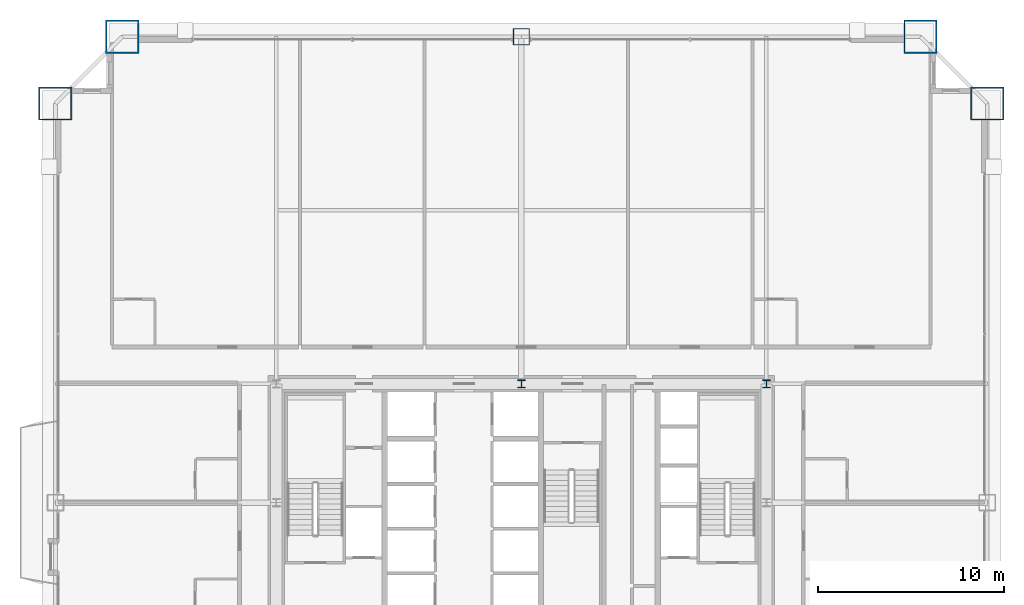
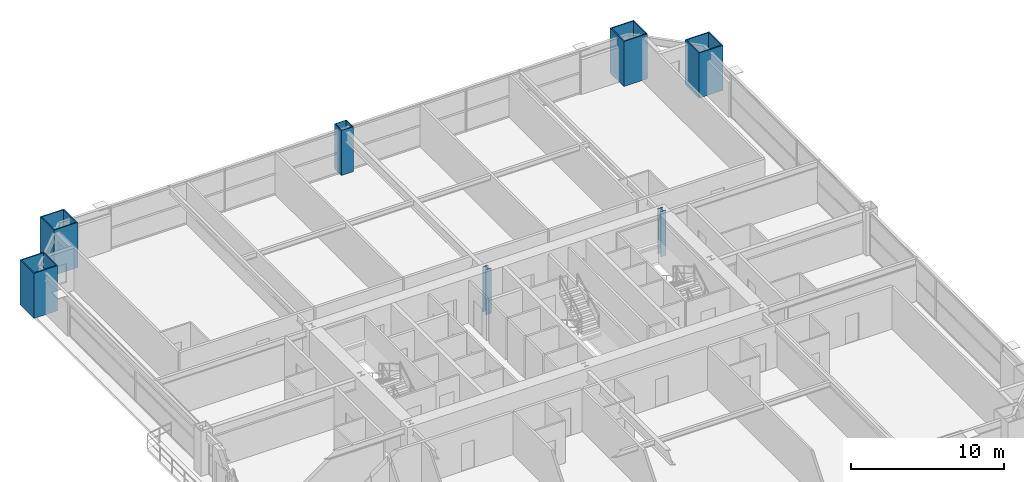
# One storey, part 2 of 46: 7 columns.
"""IFC4 building model written with IfcOpenShell, lengths in metres."""

from ifc_helpers import new_model, si_unit, direction, frame, origin, origin_2d, place, context, subcontext, project, spatial, hollow_rectangle, i_section, extrude, source, transform, mapped, material, material_profile, profile_set, type_object, element, save


model = new_model("IFC4")

# Units and contexts
model_context = context("Model", 3, precision=1e-05, world=origin(), true_north=direction((0.0, 1.0)))
body_context = subcontext(model_context, "Body", "Model", "MODEL_VIEW")
ifc_project = project(units=[si_unit("LENGTHUNIT", "METRE"), si_unit("AREAUNIT", "SQUARE_METRE"), si_unit("VOLUMEUNIT", "CUBIC_METRE"), si_unit("PLANEANGLEUNIT", "RADIAN"), si_unit("MASSUNIT", "GRAM", prefix="KILO"), si_unit("THERMODYNAMICTEMPERATUREUNIT", "KELVIN"), si_unit("POWERUNIT", "WATT")], contexts=[model_context])

# Site, building, storey
site_placement = place(None, origin())
site = spatial("IfcSite", under=ifc_project, at=site_placement, CompositionType="ELEMENT")
building_placement = place(site_placement, origin())
building = spatial("IfcBuilding", under=site, at=building_placement, Name="Yuzanri Waterfront Tower", CompositionType="ELEMENT")
storey_placement = place(building_placement, frame((0.0, 0.0, 56.800048828125)))
storey = spatial("IfcBuildingStorey", under=building, at=storey_placement, Name="L14", CompositionType="ELEMENT", Elevation=56.800048828125)

# Columns
ifc_material_1 = material(Name="Steel Q355B", Category="steel")
ifc_material_profile_1 = material_profile(ifc_material_1, i_section(OverallWidth=0.406982421875, OverallDepth=0.427978515625, WebThickness=0.02001953125, FlangeThickness=0.034912109375, at=origin_2d()), Name="HW 428x407x20x35")
ifc_profile_set_1 = profile_set([ifc_material_profile_1], Name="Steel Q355B")
column_type_1 = type_object("IfcColumnType", Name="Core Post Q355B HW 428x407x20x35", PredefinedType="COLUMN", material=ifc_profile_set_1)
shared_shape_1 = source(origin(), body_context, "Body", "SweptSolid", [
    extrude(i_section(OverallWidth=0.406982421875, OverallDepth=0.427978515625, WebThickness=0.02001953125, FlangeThickness=0.034912109375, at=origin_2d()), origin(), (0.0, 0.0, 1.0), 3.599853515625),
])
for number, where, z_axis, x_axis, name in (
    (1, (37.0, 32.199951171875, 0.0), (0.0, 0.0, 1.0), (1.0, 0.0, 0.0), "L14 Core Boundary Column CP7"),
    (2, (50.199951171875, 32.199951171875, 0.0), (0.0, 0.0, 1.0), (1.0, 0.0, 0.0), "L14 Core Boundary Column CP8"),
):
    element("IfcColumn", number, at=place(storey_placement, frame(where, z_axis=z_axis, x_axis=x_axis)), inside=storey, type_object=column_type_1, Name=name, PredefinedType="COLUMN", context=body_context, shape_type="MappedRepresentation", body=[
        mapped(shared_shape_1, transform((0.0, 0.0, 0.0), scale=1.0)),
    ])
ifc_material_2 = material(Name="Steel Q420GJC", Category="steel")
ifc_material_profile_2 = material_profile(ifc_material_2, hollow_rectangle(XDim=1.800048828125, YDim=1.800048828125, WallThickness=0.080078125, at=origin_2d()), Name="RHS 1800x1800x80")
ifc_profile_set_2 = profile_set([ifc_material_profile_2], Name="Steel Q420GJC")
column_type_2 = type_object("IfcColumnType", Name="Mega Column Q420GJC RHS 1800x1800x80", PredefinedType="COLUMN", material=ifc_profile_set_2)
shared_shape_2 = source(origin(), body_context, "Body", "SweptSolid", [
    extrude(hollow_rectangle(XDim=1.800048828125, YDim=1.800048828125, WallThickness=0.080078125, at=origin_2d()), origin(), (0.0, 0.0, 1.0), 3.599853515625),
])
for number, where, z_axis, x_axis, name in (
    (3, (15.5, 50.89990234375, 0.0), (0.0, 0.0, 1.0), (1.0, 0.0, 0.0), "L14 Perimeter Mega Column N1"),
    (4, (58.5, 50.89990234375, 0.0), (0.0, 0.0, 1.0), (1.0, 0.0, 0.0), "L14 Perimeter Mega Column N3"),
    (5, (11.89990234375, 47.300048828125, 0.0), (0.0, 0.0, 1.0), (1.0, 0.0, 0.0), "L14 Perimeter Mega Column W3"),
    (6, (62.10009765625, 47.300048828125, 0.0), (0.0, 0.0, 1.0), (1.0, 0.0, 0.0), "L14 Perimeter Mega Column E3"),
):
    element("IfcColumn", number, at=place(storey_placement, frame(where, z_axis=z_axis, x_axis=x_axis)), inside=storey, type_object=column_type_2, Name=name, PredefinedType="COLUMN", context=body_context, shape_type="MappedRepresentation", body=[
        mapped(shared_shape_2, transform((0.0, 0.0, 0.0), scale=1.0)),
    ])
ifc_material_3 = material(Name="Steel Q390GJC", Category="steel")
ifc_material_profile_3 = material_profile(ifc_material_3, hollow_rectangle(XDim=0.89990234375, YDim=0.89990234375, WallThickness=0.0419921875, at=origin_2d()), Name="RHS 900x900x42")
ifc_profile_set_3 = profile_set([ifc_material_profile_3], Name="Steel Q390GJC")
column_type_3 = type_object("IfcColumnType", Name="Frame Column Q390GJC RHS 900x900x42", PredefinedType="COLUMN", material=ifc_profile_set_3)
shared_shape_3 = source(origin(), body_context, "Body", "SweptSolid", [
    extrude(hollow_rectangle(XDim=0.89990234375, YDim=0.89990234375, WallThickness=0.0419921875, at=origin_2d()), origin(), (0.0, 0.0, 1.0), 3.599853515625),
])
column_placement = place(storey_placement, frame((37.0, 50.89990234375, 0.0), z_axis=(0.0, 0.0, 1.0), x_axis=(1.0, 0.0, 0.0)))
element("IfcColumn", 7, at=column_placement, inside=storey, type_object=column_type_3, Name="L14 Perimeter Frame Column N2", PredefinedType="COLUMN", context=body_context, shape_type="MappedRepresentation", body=[
    mapped(shared_shape_3, transform((0.0, 0.0, 0.0), scale=1.0)),
])

save(model, "model.ifc")
